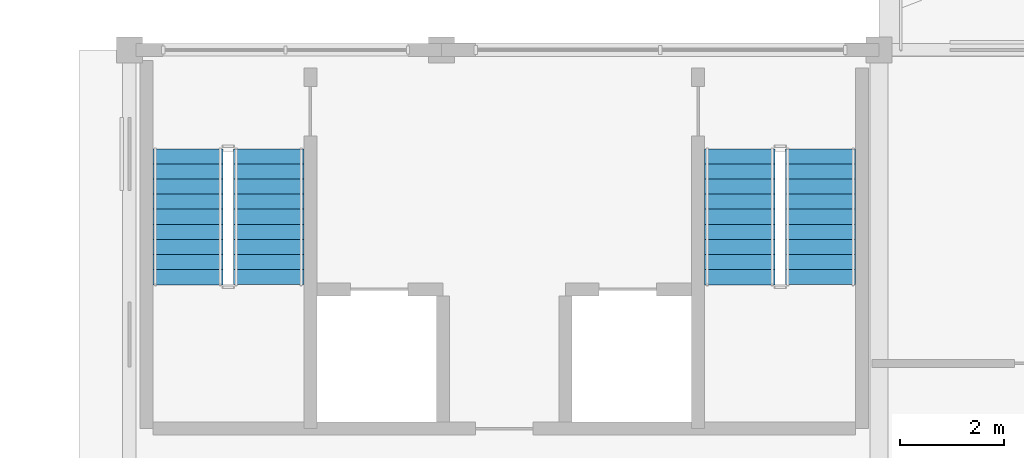
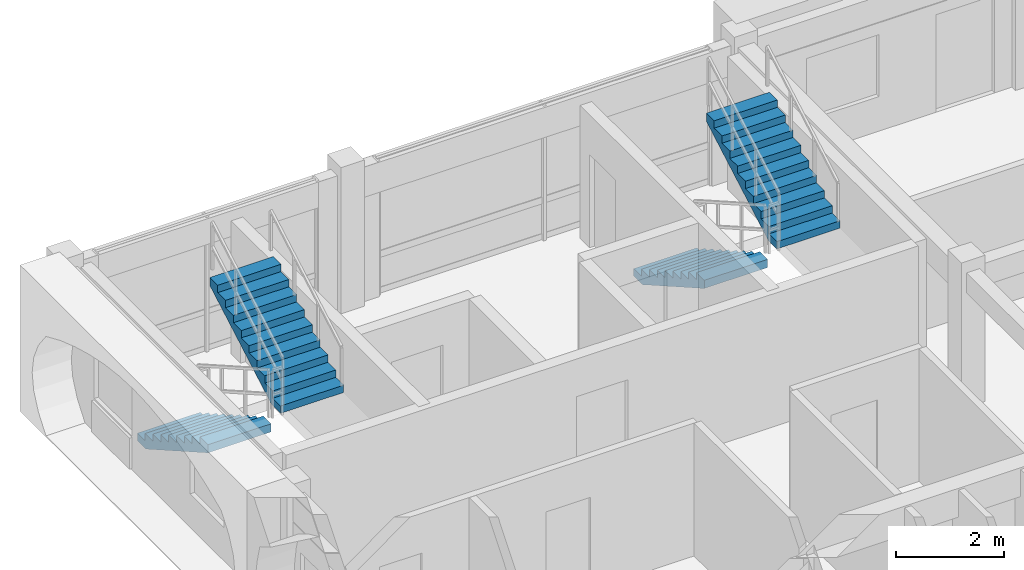
# One storey, part 18 of 28: 4 stair flights, 2 elements without a shape of their own.
"""IFC4 building model written with IfcOpenShell, lengths in metres."""

from ifc_helpers import new_model, si_unit, direction, frame, origin, place, context, subcontext, project, spatial, polyline, outline, extrude, material, type_object, element, aggregate, save


model = new_model("IFC4")

# Units and contexts
model_context = context("Model", 3, precision=1e-05, world=origin(), true_north=direction((0.0, 1.0)))
body_context = subcontext(model_context, "Body", "Model", "MODEL_VIEW")
ifc_project = project(units=[si_unit("LENGTHUNIT", "METRE"), si_unit("AREAUNIT", "SQUARE_METRE"), si_unit("VOLUMEUNIT", "CUBIC_METRE"), si_unit("PLANEANGLEUNIT", "RADIAN"), si_unit("MASSUNIT", "GRAM", prefix="KILO"), si_unit("THERMODYNAMICTEMPERATUREUNIT", "KELVIN")], contexts=[model_context])

# Site, building, storey
site_placement = place(None, origin())
site = spatial("IfcSite", under=ifc_project, at=site_placement, CompositionType="ELEMENT")
building_placement = place(site_placement, origin())
building = spatial("IfcBuilding", under=site, at=building_placement, Name="Thalorik Housing Commons", CompositionType="ELEMENT")
storey_placement = place(building_placement, frame((0.0, 0.0, 41.10009765625)))
storey = spatial("IfcBuildingStorey", under=building, at=storey_placement, Name="L12", CompositionType="ELEMENT", Elevation=41.10009765625)

# Stair, stair flights
ifc_material = material(Name="Precast concrete C40/50", Category="concrete")
stair_type = type_object("IfcStairType", Name="ARC-STR-1350-R20", PredefinedType="HALF_TURN_STAIR", material=ifc_material)
stair_1_placement = place(storey_placement, origin())
stair_1 = element("IfcStair", 1, at=stair_1_placement, inside=storey, type_object=stair_type, Name="L12 Block A Smoke-Proof Stair 1", PredefinedType="HALF_TURN_STAIR")
stair_flight_type = type_object("IfcStairFlightType", Name="ARC-SFLT-1350-R10", PredefinedType="STRAIGHT", material=ifc_material)
stair_flight_1_placement = place(storey_placement, frame((9.52490234375, 121.699951171875, 0.0), z_axis=(0.0, 0.0, 1.0), x_axis=(0.0, -1.0, 0.0)))
stair_flight_1 = element("IfcStairFlight", 2, at=stair_flight_1_placement, type_object=stair_flight_type, Name="ST-A1 flight 1", NumberOfRisers=10, NumberOfTreads=9, PredefinedType="STRAIGHT", RiserHeight=0.165, TreadLength=0.29, context=body_context, shape_type="SweptSolid", body=[
    extrude(outline(polyline([(0.0, 0.0), (0.0, 0.1650390625), (0.2900390625, 0.1650390625), (0.2900390625, 0.330078125), (0.580078125, 0.330078125), (0.580078125, 0.4951171875), (0.8701171875, 0.4951171875), (0.8701171875, 0.659912109375), (1.159912109375, 0.659912109375), (1.159912109375, 0.824951171875), (1.449951171875, 0.824951171875), (1.449951171875, 0.989990234375), (1.739990234375, 0.989990234375), (1.739990234375, 1.155029296875), (2.030029296875, 1.155029296875), (2.030029296875, 1.320068359375), (2.320068359375, 1.320068359375), (2.320068359375, 1.485107421875), (2.610107421875, 1.485107421875), (2.610107421875, 1.64990234375), (2.610107421875, 1.301025390625), (0.323486328125, 0.0), (0.0, 0.0)])), frame((0.0, 0.675048828125, 0.0), z_axis=(0.0, -1.0, 0.0), x_axis=(1.0, 0.0, 0.0)), (0.0, 0.0, 1.0), 1.35009765625),
])
stair_flight_2_placement = place(storey_placement, frame((11.074951171875, 119.090087890625, 1.64990234375), z_axis=(0.0, 0.0, 1.0), x_axis=(0.0, 1.0, 0.0)))
stair_flight_2 = element("IfcStairFlight", 3, at=stair_flight_2_placement, type_object=stair_flight_type, Name="ST-A1 flight 2", NumberOfRisers=10, NumberOfTreads=9, PredefinedType="STRAIGHT", RiserHeight=0.165, TreadLength=0.29, context=body_context, shape_type="SweptSolid", body=[
    extrude(outline(polyline([(0.0, 0.0), (0.0, 0.1650390625), (0.2900390625, 0.1650390625), (0.2900390625, 0.330078125), (0.580078125, 0.330078125), (0.580078125, 0.4951171875), (0.8701171875, 0.4951171875), (0.8701171875, 0.659912109375), (1.159912109375, 0.659912109375), (1.159912109375, 0.824951171875), (1.449951171875, 0.824951171875), (1.449951171875, 0.989990234375), (1.739990234375, 0.989990234375), (1.739990234375, 1.155029296875), (2.030029296875, 1.155029296875), (2.030029296875, 1.320068359375), (2.320068359375, 1.320068359375), (2.320068359375, 1.485107421875), (2.610107421875, 1.485107421875), (2.610107421875, 1.64990234375), (2.610107421875, 1.301025390625), (0.323486328125, 0.0), (0.0, 0.0)])), frame((0.0, 0.675048828125, 0.0), z_axis=(0.0, -1.0, 0.0), x_axis=(1.0, 0.0, 0.0)), (0.0, 0.0, 1.0), 1.35009765625),
])
aggregate(stair_1, [stair_flight_1, stair_flight_2])

stair_2_placement = place(storey_placement, origin())
stair_2 = element("IfcStair", 4, at=stair_2_placement, inside=storey, type_object=stair_type, Name="L12 Block A Smoke-Proof Stair 2", PredefinedType="HALF_TURN_STAIR")
stair_flight_3_placement = place(storey_placement, frame((20.125, 121.699951171875, 0.0), z_axis=(0.0, 0.0, 1.0), x_axis=(0.0, -1.0, 0.0)))
stair_flight_3 = element("IfcStairFlight", 5, at=stair_flight_3_placement, type_object=stair_flight_type, Name="ST-A2 flight 1", NumberOfRisers=10, NumberOfTreads=9, PredefinedType="STRAIGHT", RiserHeight=0.165, TreadLength=0.29, context=body_context, shape_type="SweptSolid", body=[
    extrude(outline(polyline([(0.0, 0.0), (0.0, 0.1650390625), (0.2900390625, 0.1650390625), (0.2900390625, 0.330078125), (0.580078125, 0.330078125), (0.580078125, 0.4951171875), (0.8701171875, 0.4951171875), (0.8701171875, 0.659912109375), (1.159912109375, 0.659912109375), (1.159912109375, 0.824951171875), (1.449951171875, 0.824951171875), (1.449951171875, 0.989990234375), (1.739990234375, 0.989990234375), (1.739990234375, 1.155029296875), (2.030029296875, 1.155029296875), (2.030029296875, 1.320068359375), (2.320068359375, 1.320068359375), (2.320068359375, 1.485107421875), (2.610107421875, 1.485107421875), (2.610107421875, 1.64990234375), (2.610107421875, 1.301025390625), (0.323486328125, 0.0), (0.0, 0.0)])), frame((0.0, 0.675048828125, 0.0), z_axis=(0.0, -1.0, 0.0), x_axis=(1.0, 0.0, 0.0)), (0.0, 0.0, 1.0), 1.35009765625),
])
stair_flight_4_placement = place(storey_placement, frame((21.675048828125, 119.090087890625, 1.64990234375), z_axis=(0.0, 0.0, 1.0), x_axis=(0.0, 1.0, 0.0)))
stair_flight_4 = element("IfcStairFlight", 6, at=stair_flight_4_placement, type_object=stair_flight_type, Name="ST-A2 flight 2", NumberOfRisers=10, NumberOfTreads=9, PredefinedType="STRAIGHT", RiserHeight=0.165, TreadLength=0.29, context=body_context, shape_type="SweptSolid", body=[
    extrude(outline(polyline([(0.0, 0.0), (0.0, 0.1650390625), (0.2900390625, 0.1650390625), (0.2900390625, 0.330078125), (0.580078125, 0.330078125), (0.580078125, 0.4951171875), (0.8701171875, 0.4951171875), (0.8701171875, 0.659912109375), (1.159912109375, 0.659912109375), (1.159912109375, 0.824951171875), (1.449951171875, 0.824951171875), (1.449951171875, 0.989990234375), (1.739990234375, 0.989990234375), (1.739990234375, 1.155029296875), (2.030029296875, 1.155029296875), (2.030029296875, 1.320068359375), (2.320068359375, 1.320068359375), (2.320068359375, 1.485107421875), (2.610107421875, 1.485107421875), (2.610107421875, 1.64990234375), (2.610107421875, 1.301025390625), (0.323486328125, 0.0), (0.0, 0.0)])), frame((0.0, 0.675048828125, 0.0), z_axis=(0.0, -1.0, 0.0), x_axis=(1.0, 0.0, 0.0)), (0.0, 0.0, 1.0), 1.35009765625),
])
aggregate(stair_2, [stair_flight_3, stair_flight_4])

save(model, "model.ifc")
